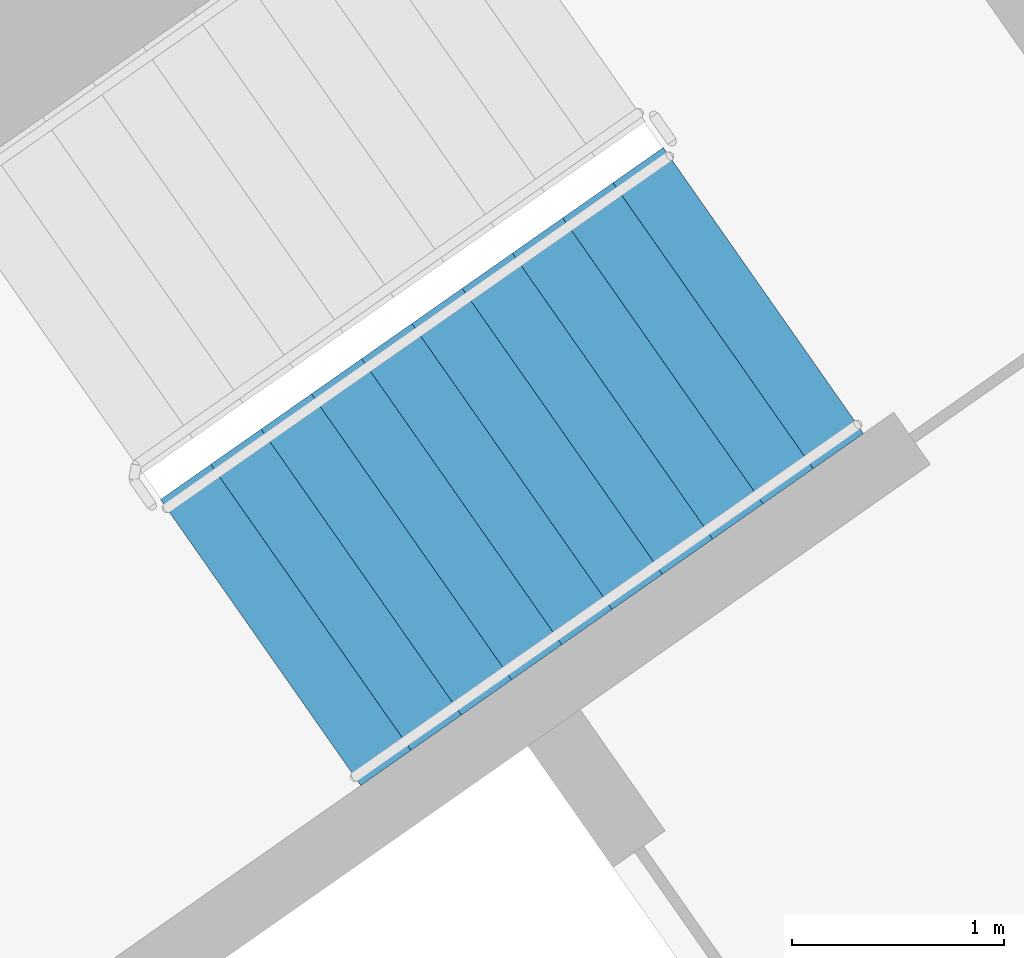
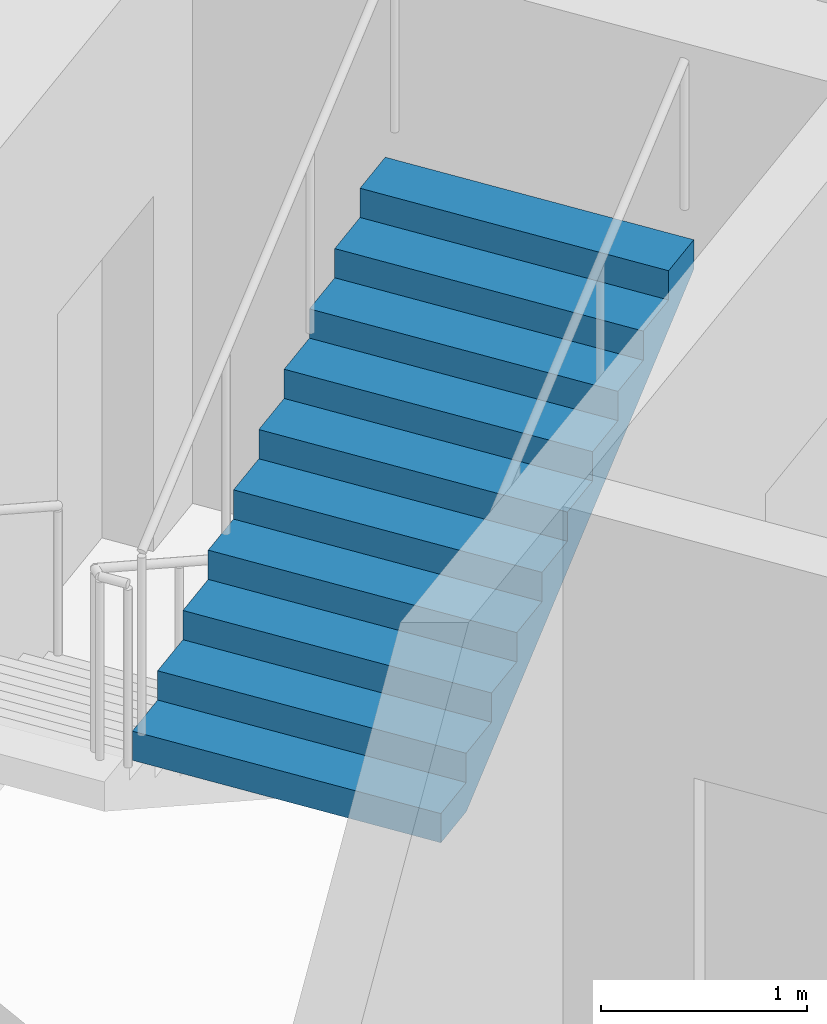
# One storey, part 15 of 28: 1 stair flight, 1 element without a shape of its own.
"""IFC4 building model written with IfcOpenShell, lengths in metres."""

from ifc_helpers import new_model, si_unit, direction, frame, origin, place, context, subcontext, project, spatial, faceted_brep, material, type_object, element, aggregate, save


model = new_model("IFC4")

# Units and contexts
model_context = context("Model", 3, precision=1e-05, world=origin(), true_north=direction((0.0, 1.0)))
body_context = subcontext(model_context, "Body", "Model", "MODEL_VIEW")
ifc_project = project(units=[si_unit("LENGTHUNIT", "METRE"), si_unit("AREAUNIT", "SQUARE_METRE"), si_unit("VOLUMEUNIT", "CUBIC_METRE"), si_unit("PLANEANGLEUNIT", "RADIAN"), si_unit("MASSUNIT", "GRAM", prefix="KILO")], contexts=[model_context])

# Site, building, storey
site_placement = place(None, origin())
site = spatial("IfcSite", under=ifc_project, at=site_placement, CompositionType="ELEMENT")
building_placement = place(site_placement, origin())
building = spatial("IfcBuilding", under=site, at=building_placement, Name="Qamariyya Broadcast Tower", CompositionType="ELEMENT")
storey_placement = place(building_placement, frame((0.0, 0.0, 241.699951171875)))
storey = spatial("IfcBuildingStorey", under=building, at=storey_placement, Name="L58", CompositionType="ELEMENT", Elevation=241.699951171875)

# Stair, stair flight
ifc_material = material(Name="Concrete C50/60", Category="concrete")
stair_type = type_object("IfcStairType", Name="Exit stair 22 risers of 173 mm", PredefinedType="HALF_TURN_STAIR", material=ifc_material)
stair_placement = place(storey_placement, origin())
stair = element("IfcStair", 1, at=stair_placement, inside=storey, type_object=stair_type, Name="L58 Stair E2", PredefinedType="HALF_TURN_STAIR")
stair_flight_type = type_object("IfcStairFlightType", Name="Exit stair flight 11 risers of 173 mm", PredefinedType="STRAIGHT", material=ifc_material)
stair_flight_placement = place(storey_placement, frame((39.215576171875, -50.822998046875, 1.900146484375), z_axis=(0.0, 0.0, 1.0), x_axis=(0.819152044289, 0.573576436351, 0.0)))
stair_flight = element("IfcStairFlight", 2, at=stair_flight_placement, type_object=stair_flight_type, Name="ST-E2 flight 2", NumberOfRisers=11, NumberOfTreads=10, PredefinedType="STRAIGHT", RiserHeight=0.172727273, TreadLength=0.29, context=body_context, shape_type="Brep", body=[
    faceted_brep([(0.0, 0.824951171875, 0.0), (0.0, 0.824951171875, 0.172607421875), (0.2900390625, 0.824951171875, 0.172607421875), (0.2900390625, 0.824951171875, 0.345458984375), (0.580078125, 0.824951171875, 0.345458984375), (0.580078125, 0.824951171875, 0.51806640625), (0.8701171875, 0.824951171875, 0.51806640625), (0.8701171875, 0.824951171875, 0.69091796875), (1.159912109375, 0.824951171875, 0.69091796875), (1.159912109375, 0.824951171875, 0.863525390625), (1.449951171875, 0.824951171875, 0.863525390625), (1.449951171875, 0.824951171875, 1.036376953125), (1.739990234375, 0.824951171875, 1.036376953125), (1.739990234375, 0.824951171875, 1.208984375), (2.030029296875, 0.824951171875, 1.208984375), (2.030029296875, 0.824951171875, 1.3818359375), (2.320068359375, 0.824951171875, 1.3818359375), (2.320068359375, 0.824951171875, 1.554443359375), (2.610107421875, 0.824951171875, 1.554443359375), (2.610107421875, 0.824951171875, 1.727294921875), (2.89990234375, 0.824951171875, 1.727294921875), (2.89990234375, 0.824951171875, 1.552734375), (0.29296875, 0.824951171875, 0.0), (0.29296875, -0.824951171875, 0.0), (2.89990234375, -0.824951171875, 1.552734375), (2.89990234375, -0.824951171875, 1.727294921875), (2.610107421875, -0.824951171875, 1.727294921875), (2.610107421875, -0.824951171875, 1.554443359375), (2.320068359375, -0.824951171875, 1.554443359375), (2.320068359375, -0.824951171875, 1.3818359375), (2.030029296875, -0.824951171875, 1.3818359375), (2.030029296875, -0.824951171875, 1.208984375), (1.739990234375, -0.824951171875, 1.208984375), (1.739990234375, -0.824951171875, 1.036376953125), (1.449951171875, -0.824951171875, 1.036376953125), (1.449951171875, -0.824951171875, 0.863525390625), (1.159912109375, -0.824951171875, 0.863525390625), (1.159912109375, -0.824951171875, 0.69091796875), (0.8701171875, -0.824951171875, 0.69091796875), (0.8701171875, -0.824951171875, 0.51806640625), (0.580078125, -0.824951171875, 0.51806640625), (0.580078125, -0.824951171875, 0.345458984375), (0.2900390625, -0.824951171875, 0.345458984375), (0.2900390625, -0.824951171875, 0.172607421875), (0.0, -0.824951171875, 0.172607421875), (0.0, -0.824951171875, 0.0), (0.0, 0.10009765625, 0.0), (0.0, 0.086669921875, 0.0), (0.0, 0.0732421875, 0.0), (0.0, 0.06005859375, 0.0), (0.0, 0.046630859375, 0.0), (0.0, 0.033447265625, 0.0), (0.0, 0.02001953125, 0.0), (0.0, 0.006591796875, 0.0), (0.0, -0.006591796875, 0.0), (0.0, -0.02001953125, 0.0), (0.0, -0.033447265625, 0.0), (0.0, -0.046630859375, 0.0), (0.0, -0.06005859375, 0.0), (0.0, -0.0732421875, 0.0), (0.0, -0.086669921875, 0.0), (0.0, -0.10009765625, 0.0), (0.0, -0.10009765625, 0.172607421875), (0.0, -0.086669921875, 0.172607421875), (0.0, -0.0732421875, 0.172607421875), (0.0, -0.06005859375, 0.172607421875), (0.0, -0.046630859375, 0.172607421875), (0.0, -0.033447265625, 0.172607421875), (0.0, -0.02001953125, 0.172607421875), (0.0, -0.006591796875, 0.172607421875), (0.0, 0.006591796875, 0.172607421875), (0.0, 0.02001953125, 0.172607421875), (0.0, 0.033447265625, 0.172607421875), (0.0, 0.046630859375, 0.172607421875), (0.0, 0.06005859375, 0.172607421875), (0.0, 0.0732421875, 0.172607421875), (0.0, 0.086669921875, 0.172607421875), (0.0, 0.10009765625, 0.172607421875), (0.2900390625, -0.10009765625, 0.172607421875), (0.2900390625, -0.086669921875, 0.172607421875), (0.2900390625, -0.0732421875, 0.172607421875), (0.2900390625, -0.06005859375, 0.172607421875), (0.2900390625, -0.046630859375, 0.172607421875), (0.2900390625, -0.033447265625, 0.172607421875), (0.2900390625, -0.02001953125, 0.172607421875), (0.2900390625, -0.006591796875, 0.172607421875), (0.2900390625, 0.006591796875, 0.172607421875), (0.2900390625, 0.02001953125, 0.172607421875), (0.2900390625, 0.033447265625, 0.172607421875), (0.2900390625, 0.046630859375, 0.172607421875), (0.2900390625, 0.06005859375, 0.172607421875), (0.2900390625, 0.0732421875, 0.172607421875), (0.2900390625, 0.086669921875, 0.172607421875), (0.2900390625, 0.10009765625, 0.172607421875), (0.2900390625, -0.10009765625, 0.345458984375), (0.2900390625, -0.086669921875, 0.345458984375), (0.2900390625, -0.0732421875, 0.345458984375), (0.2900390625, -0.06005859375, 0.345458984375), (0.2900390625, -0.046630859375, 0.345458984375), (0.2900390625, -0.033447265625, 0.345458984375), (0.2900390625, -0.02001953125, 0.345458984375), (0.2900390625, -0.006591796875, 0.345458984375), (0.2900390625, 0.006591796875, 0.345458984375), (0.2900390625, 0.02001953125, 0.345458984375), (0.2900390625, 0.033447265625, 0.345458984375), (0.2900390625, 0.046630859375, 0.345458984375), (0.2900390625, 0.06005859375, 0.345458984375), (0.2900390625, 0.0732421875, 0.345458984375), (0.2900390625, 0.086669921875, 0.345458984375), (0.2900390625, 0.10009765625, 0.345458984375), (0.580078125, -0.10009765625, 0.345458984375), (0.580078125, -0.086669921875, 0.345458984375), (0.580078125, -0.0732421875, 0.345458984375), (0.580078125, -0.06005859375, 0.345458984375), (0.580078125, -0.046630859375, 0.345458984375), (0.580078125, -0.033447265625, 0.345458984375), (0.580078125, -0.02001953125, 0.345458984375), (0.580078125, -0.006591796875, 0.345458984375), (0.580078125, 0.006591796875, 0.345458984375), (0.580078125, 0.02001953125, 0.345458984375), (0.580078125, 0.033447265625, 0.345458984375), (0.580078125, 0.046630859375, 0.345458984375), (0.580078125, 0.06005859375, 0.345458984375), (0.580078125, 0.0732421875, 0.345458984375), (0.580078125, 0.086669921875, 0.345458984375), (0.580078125, 0.10009765625, 0.345458984375), (0.580078125, -0.10009765625, 0.51806640625), (0.580078125, -0.086669921875, 0.51806640625), (0.580078125, -0.0732421875, 0.51806640625), (0.580078125, -0.06005859375, 0.51806640625), (0.580078125, -0.046630859375, 0.51806640625), (0.580078125, -0.033447265625, 0.51806640625), (0.580078125, -0.02001953125, 0.51806640625), (0.580078125, -0.006591796875, 0.51806640625), (0.580078125, 0.006591796875, 0.51806640625), (0.580078125, 0.02001953125, 0.51806640625), (0.580078125, 0.033447265625, 0.51806640625), (0.580078125, 0.046630859375, 0.51806640625), (0.580078125, 0.06005859375, 0.51806640625), (0.580078125, 0.0732421875, 0.51806640625), (0.580078125, 0.086669921875, 0.51806640625), (0.580078125, 0.10009765625, 0.51806640625), (0.8701171875, -0.10009765625, 0.51806640625), (0.8701171875, -0.086669921875, 0.51806640625), (0.8701171875, -0.0732421875, 0.51806640625), (0.8701171875, -0.06005859375, 0.51806640625), (0.8701171875, -0.046630859375, 0.51806640625), (0.8701171875, -0.033447265625, 0.51806640625), (0.8701171875, -0.02001953125, 0.51806640625), (0.8701171875, -0.006591796875, 0.51806640625), (0.8701171875, 0.006591796875, 0.51806640625), (0.8701171875, 0.02001953125, 0.51806640625), (0.8701171875, 0.033447265625, 0.51806640625), (0.8701171875, 0.046630859375, 0.51806640625), (0.8701171875, 0.06005859375, 0.51806640625), (0.8701171875, 0.0732421875, 0.51806640625), (0.8701171875, 0.086669921875, 0.51806640625), (0.8701171875, 0.10009765625, 0.51806640625), (0.8701171875, -0.10009765625, 0.69091796875), (0.8701171875, -0.086669921875, 0.69091796875), (0.8701171875, -0.0732421875, 0.69091796875), (0.8701171875, -0.06005859375, 0.69091796875), (0.8701171875, -0.046630859375, 0.69091796875), (0.8701171875, -0.033447265625, 0.69091796875), (0.8701171875, -0.02001953125, 0.69091796875), (0.8701171875, -0.006591796875, 0.69091796875), (0.8701171875, 0.006591796875, 0.69091796875), (0.8701171875, 0.02001953125, 0.69091796875), (0.8701171875, 0.033447265625, 0.69091796875), (0.8701171875, 0.046630859375, 0.69091796875), (0.8701171875, 0.06005859375, 0.69091796875), (0.8701171875, 0.0732421875, 0.69091796875), (0.8701171875, 0.086669921875, 0.69091796875), (0.8701171875, 0.10009765625, 0.69091796875), (1.159912109375, -0.10009765625, 0.69091796875), (1.159912109375, -0.086669921875, 0.69091796875), (1.159912109375, -0.0732421875, 0.69091796875), (1.159912109375, -0.06005859375, 0.69091796875), (1.159912109375, -0.046630859375, 0.69091796875), (1.159912109375, -0.033447265625, 0.69091796875), (1.159912109375, -0.02001953125, 0.69091796875), (1.159912109375, -0.006591796875, 0.69091796875), (1.159912109375, 0.006591796875, 0.69091796875), (1.159912109375, 0.02001953125, 0.69091796875), (1.159912109375, 0.033447265625, 0.69091796875), (1.159912109375, 0.046630859375, 0.69091796875), (1.159912109375, 0.06005859375, 0.69091796875), (1.159912109375, 0.0732421875, 0.69091796875), (1.159912109375, 0.086669921875, 0.69091796875), (1.159912109375, 0.10009765625, 0.69091796875), (1.159912109375, -0.10009765625, 0.863525390625), (1.159912109375, -0.086669921875, 0.863525390625), (1.159912109375, -0.0732421875, 0.863525390625), (1.159912109375, -0.06005859375, 0.863525390625), (1.159912109375, -0.046630859375, 0.863525390625), (1.159912109375, -0.033447265625, 0.863525390625), (1.159912109375, -0.02001953125, 0.863525390625), (1.159912109375, -0.006591796875, 0.863525390625), (1.159912109375, 0.006591796875, 0.863525390625), (1.159912109375, 0.02001953125, 0.863525390625), (1.159912109375, 0.033447265625, 0.863525390625), (1.159912109375, 0.046630859375, 0.863525390625), (1.159912109375, 0.06005859375, 0.863525390625), (1.159912109375, 0.0732421875, 0.863525390625), (1.159912109375, 0.086669921875, 0.863525390625), (1.159912109375, 0.10009765625, 0.863525390625), (1.449951171875, -0.10009765625, 0.863525390625), (1.449951171875, -0.086669921875, 0.863525390625), (1.449951171875, -0.0732421875, 0.863525390625), (1.449951171875, -0.06005859375, 0.863525390625), (1.449951171875, -0.046630859375, 0.863525390625), (1.449951171875, -0.033447265625, 0.863525390625), (1.449951171875, -0.02001953125, 0.863525390625), (1.449951171875, -0.006591796875, 0.863525390625), (1.449951171875, 0.006591796875, 0.863525390625), (1.449951171875, 0.02001953125, 0.863525390625), (1.449951171875, 0.033447265625, 0.863525390625), (1.449951171875, 0.046630859375, 0.863525390625), (1.449951171875, 0.06005859375, 0.863525390625), (1.449951171875, 0.0732421875, 0.863525390625), (1.449951171875, 0.086669921875, 0.863525390625), (1.449951171875, 0.10009765625, 0.863525390625), (1.449951171875, -0.10009765625, 1.036376953125), (1.449951171875, -0.086669921875, 1.036376953125), (1.449951171875, -0.0732421875, 1.036376953125), (1.449951171875, -0.06005859375, 1.036376953125), (1.449951171875, -0.046630859375, 1.036376953125), (1.449951171875, -0.033447265625, 1.036376953125), (1.449951171875, -0.02001953125, 1.036376953125), (1.449951171875, -0.006591796875, 1.036376953125), (1.449951171875, 0.006591796875, 1.036376953125), (1.449951171875, 0.02001953125, 1.036376953125), (1.449951171875, 0.033447265625, 1.036376953125), (1.449951171875, 0.046630859375, 1.036376953125), (1.449951171875, 0.06005859375, 1.036376953125), (1.449951171875, 0.0732421875, 1.036376953125), (1.449951171875, 0.086669921875, 1.036376953125), (1.449951171875, 0.10009765625, 1.036376953125), (1.739990234375, -0.10009765625, 1.036376953125), (1.739990234375, -0.086669921875, 1.036376953125), (1.739990234375, -0.0732421875, 1.036376953125), (1.739990234375, -0.06005859375, 1.036376953125), (1.739990234375, -0.046630859375, 1.036376953125), (1.739990234375, -0.033447265625, 1.036376953125), (1.739990234375, -0.02001953125, 1.036376953125), (1.739990234375, -0.006591796875, 1.036376953125), (1.739990234375, 0.006591796875, 1.036376953125), (1.739990234375, 0.02001953125, 1.036376953125), (1.739990234375, 0.033447265625, 1.036376953125), (1.739990234375, 0.046630859375, 1.036376953125), (1.739990234375, 0.06005859375, 1.036376953125), (1.739990234375, 0.0732421875, 1.036376953125), (1.739990234375, 0.086669921875, 1.036376953125), (1.739990234375, 0.10009765625, 1.036376953125), (1.739990234375, -0.10009765625, 1.208984375), (1.739990234375, -0.086669921875, 1.208984375), (1.739990234375, -0.0732421875, 1.208984375), (1.739990234375, -0.06005859375, 1.208984375), (1.739990234375, -0.046630859375, 1.208984375), (1.739990234375, -0.033447265625, 1.208984375), (1.739990234375, -0.02001953125, 1.208984375), (1.739990234375, -0.006591796875, 1.208984375), (1.739990234375, 0.006591796875, 1.208984375), (1.739990234375, 0.02001953125, 1.208984375), (1.739990234375, 0.033447265625, 1.208984375), (1.739990234375, 0.046630859375, 1.208984375), (1.739990234375, 0.06005859375, 1.208984375), (1.739990234375, 0.0732421875, 1.208984375), (1.739990234375, 0.086669921875, 1.208984375), (1.739990234375, 0.10009765625, 1.208984375), (2.030029296875, -0.10009765625, 1.208984375), (2.030029296875, -0.086669921875, 1.208984375), (2.030029296875, -0.0732421875, 1.208984375), (2.030029296875, -0.06005859375, 1.208984375), (2.030029296875, -0.046630859375, 1.208984375), (2.030029296875, -0.033447265625, 1.208984375), (2.030029296875, -0.02001953125, 1.208984375), (2.030029296875, -0.006591796875, 1.208984375), (2.030029296875, 0.006591796875, 1.208984375), (2.030029296875, 0.02001953125, 1.208984375), (2.030029296875, 0.033447265625, 1.208984375), (2.030029296875, 0.046630859375, 1.208984375), (2.030029296875, 0.06005859375, 1.208984375), (2.030029296875, 0.0732421875, 1.208984375), (2.030029296875, 0.086669921875, 1.208984375), (2.030029296875, 0.10009765625, 1.208984375), (2.030029296875, -0.10009765625, 1.3818359375), (2.030029296875, -0.086669921875, 1.3818359375), (2.030029296875, -0.0732421875, 1.3818359375), (2.030029296875, -0.06005859375, 1.3818359375), (2.030029296875, -0.046630859375, 1.3818359375), (2.030029296875, -0.033447265625, 1.3818359375), (2.030029296875, -0.02001953125, 1.3818359375), (2.030029296875, -0.006591796875, 1.3818359375), (2.030029296875, 0.006591796875, 1.3818359375), (2.030029296875, 0.02001953125, 1.3818359375), (2.030029296875, 0.033447265625, 1.3818359375), (2.030029296875, 0.046630859375, 1.3818359375), (2.030029296875, 0.06005859375, 1.3818359375), (2.030029296875, 0.0732421875, 1.3818359375), (2.030029296875, 0.086669921875, 1.3818359375), (2.030029296875, 0.10009765625, 1.3818359375), (2.320068359375, -0.10009765625, 1.3818359375), (2.320068359375, -0.086669921875, 1.3818359375), (2.320068359375, -0.0732421875, 1.3818359375), (2.320068359375, -0.06005859375, 1.3818359375), (2.320068359375, -0.046630859375, 1.3818359375), (2.320068359375, -0.033447265625, 1.3818359375), (2.320068359375, -0.02001953125, 1.3818359375), (2.320068359375, -0.006591796875, 1.3818359375), (2.320068359375, 0.006591796875, 1.3818359375), (2.320068359375, 0.02001953125, 1.3818359375), (2.320068359375, 0.033447265625, 1.3818359375), (2.320068359375, 0.046630859375, 1.3818359375), (2.320068359375, 0.06005859375, 1.3818359375), (2.320068359375, 0.0732421875, 1.3818359375), (2.320068359375, 0.086669921875, 1.3818359375), (2.320068359375, 0.10009765625, 1.3818359375), (2.320068359375, -0.10009765625, 1.554443359375), (2.320068359375, -0.086669921875, 1.554443359375), (2.320068359375, -0.0732421875, 1.554443359375), (2.320068359375, -0.06005859375, 1.554443359375), (2.320068359375, -0.046630859375, 1.554443359375), (2.320068359375, -0.033447265625, 1.554443359375), (2.320068359375, -0.02001953125, 1.554443359375), (2.320068359375, -0.006591796875, 1.554443359375), (2.320068359375, 0.006591796875, 1.554443359375), (2.320068359375, 0.02001953125, 1.554443359375), (2.320068359375, 0.033447265625, 1.554443359375), (2.320068359375, 0.046630859375, 1.554443359375), (2.320068359375, 0.06005859375, 1.554443359375), (2.320068359375, 0.0732421875, 1.554443359375), (2.320068359375, 0.086669921875, 1.554443359375), (2.320068359375, 0.10009765625, 1.554443359375), (2.610107421875, -0.10009765625, 1.554443359375), (2.610107421875, -0.086669921875, 1.554443359375), (2.610107421875, -0.0732421875, 1.554443359375), (2.610107421875, -0.06005859375, 1.554443359375), (2.610107421875, -0.046630859375, 1.554443359375), (2.610107421875, -0.033447265625, 1.554443359375), (2.610107421875, -0.02001953125, 1.554443359375), (2.610107421875, -0.006591796875, 1.554443359375), (2.610107421875, 0.006591796875, 1.554443359375), (2.610107421875, 0.02001953125, 1.554443359375), (2.610107421875, 0.033447265625, 1.554443359375), (2.610107421875, 0.046630859375, 1.554443359375), (2.610107421875, 0.06005859375, 1.554443359375), (2.610107421875, 0.0732421875, 1.554443359375), (2.610107421875, 0.086669921875, 1.554443359375), (2.610107421875, 0.10009765625, 1.554443359375), (2.610107421875, -0.10009765625, 1.727294921875), (2.610107421875, -0.086669921875, 1.727294921875), (2.610107421875, -0.0732421875, 1.727294921875), (2.610107421875, -0.06005859375, 1.727294921875), (2.610107421875, -0.046630859375, 1.727294921875), (2.610107421875, -0.033447265625, 1.727294921875), (2.610107421875, -0.02001953125, 1.727294921875), (2.610107421875, -0.006591796875, 1.727294921875), (2.610107421875, 0.006591796875, 1.727294921875), (2.610107421875, 0.02001953125, 1.727294921875), (2.610107421875, 0.033447265625, 1.727294921875), (2.610107421875, 0.046630859375, 1.727294921875), (2.610107421875, 0.06005859375, 1.727294921875), (2.610107421875, 0.0732421875, 1.727294921875), (2.610107421875, 0.086669921875, 1.727294921875), (2.610107421875, 0.10009765625, 1.727294921875), (2.89990234375, -0.10009765625, 1.727294921875), (2.89990234375, -0.086669921875, 1.727294921875), (2.89990234375, -0.0732421875, 1.727294921875), (2.89990234375, -0.06005859375, 1.727294921875), (2.89990234375, -0.046630859375, 1.727294921875), (2.89990234375, -0.033447265625, 1.727294921875), (2.89990234375, -0.02001953125, 1.727294921875), (2.89990234375, -0.006591796875, 1.727294921875), (2.89990234375, 0.006591796875, 1.727294921875), (2.89990234375, 0.02001953125, 1.727294921875), (2.89990234375, 0.033447265625, 1.727294921875), (2.89990234375, 0.046630859375, 1.727294921875), (2.89990234375, 0.06005859375, 1.727294921875), (2.89990234375, 0.0732421875, 1.727294921875), (2.89990234375, 0.086669921875, 1.727294921875), (2.89990234375, 0.10009765625, 1.727294921875), (2.89990234375, -0.10009765625, 1.552734375), (2.89990234375, -0.086669921875, 1.552734375), (2.89990234375, -0.0732421875, 1.552734375), (2.89990234375, -0.06005859375, 1.552734375), (2.89990234375, -0.046630859375, 1.552734375), (2.89990234375, -0.033447265625, 1.552734375), (2.89990234375, -0.02001953125, 1.552734375), (2.89990234375, -0.006591796875, 1.552734375), (2.89990234375, 0.006591796875, 1.552734375), (2.89990234375, 0.02001953125, 1.552734375), (2.89990234375, 0.033447265625, 1.552734375), (2.89990234375, 0.046630859375, 1.552734375), (2.89990234375, 0.06005859375, 1.552734375), (2.89990234375, 0.0732421875, 1.552734375), (2.89990234375, 0.086669921875, 1.552734375), (2.89990234375, 0.10009765625, 1.552734375), (0.29296875, -0.10009765625, 0.0), (0.29296875, -0.086669921875, 0.0), (0.29296875, -0.0732421875, 0.0), (0.29296875, -0.06005859375, 0.0), (0.29296875, -0.046630859375, 0.0), (0.29296875, -0.033447265625, 0.0), (0.29296875, -0.02001953125, 0.0), (0.29296875, -0.006591796875, 0.0), (0.29296875, 0.006591796875, 0.0), (0.29296875, 0.02001953125, 0.0), (0.29296875, 0.033447265625, 0.0), (0.29296875, 0.046630859375, 0.0), (0.29296875, 0.06005859375, 0.0), (0.29296875, 0.0732421875, 0.0), (0.29296875, 0.086669921875, 0.0), (0.29296875, 0.10009765625, 0.0)], [[[0, 1, 2, 3, 4, 5, 6, 7, 8, 9, 10, 11, 12, 13, 14, 15, 16, 17, 18, 19, 20, 21, 22]], [[23, 24, 25, 26, 27, 28, 29, 30, 31, 32, 33, 34, 35, 36, 37, 38, 39, 40, 41, 42, 43, 44, 45]], [[0, 46, 47, 48, 49, 50, 51, 52, 53, 54, 55, 56, 57, 58, 59, 60, 61, 45, 44, 62, 63, 64, 65, 66, 67, 68, 69, 70, 71, 72, 73, 74, 75, 76, 77, 1]], [[1, 77, 76, 75, 74, 73, 72, 71, 70, 69, 68, 67, 66, 65, 64, 63, 62, 44, 43, 78, 79, 80, 81, 82, 83, 84, 85, 86, 87, 88, 89, 90, 91, 92, 93, 2]], [[2, 93, 92, 91, 90, 89, 88, 87, 86, 85, 84, 83, 82, 81, 80, 79, 78, 43, 42, 94, 95, 96, 97, 98, 99, 100, 101, 102, 103, 104, 105, 106, 107, 108, 109, 3]], [[3, 109, 108, 107, 106, 105, 104, 103, 102, 101, 100, 99, 98, 97, 96, 95, 94, 42, 41, 110, 111, 112, 113, 114, 115, 116, 117, 118, 119, 120, 121, 122, 123, 124, 125, 4]], [[4, 125, 124, 123, 122, 121, 120, 119, 118, 117, 116, 115, 114, 113, 112, 111, 110, 41, 40, 126, 127, 128, 129, 130, 131, 132, 133, 134, 135, 136, 137, 138, 139, 140, 141, 5]], [[5, 141, 140, 139, 138, 137, 136, 135, 134, 133, 132, 131, 130, 129, 128, 127, 126, 40, 39, 142, 143, 144, 145, 146, 147, 148, 149, 150, 151, 152, 153, 154, 155, 156, 157, 6]], [[6, 157, 156, 155, 154, 153, 152, 151, 150, 149, 148, 147, 146, 145, 144, 143, 142, 39, 38, 158, 159, 160, 161, 162, 163, 164, 165, 166, 167, 168, 169, 170, 171, 172, 173, 7]], [[7, 173, 172, 171, 170, 169, 168, 167, 166, 165, 164, 163, 162, 161, 160, 159, 158, 38, 37, 174, 175, 176, 177, 178, 179, 180, 181, 182, 183, 184, 185, 186, 187, 188, 189, 8]], [[8, 189, 188, 187, 186, 185, 184, 183, 182, 181, 180, 179, 178, 177, 176, 175, 174, 37, 36, 190, 191, 192, 193, 194, 195, 196, 197, 198, 199, 200, 201, 202, 203, 204, 205, 9]], [[9, 205, 204, 203, 202, 201, 200, 199, 198, 197, 196, 195, 194, 193, 192, 191, 190, 36, 35, 206, 207, 208, 209, 210, 211, 212, 213, 214, 215, 216, 217, 218, 219, 220, 221, 10]], [[10, 221, 220, 219, 218, 217, 216, 215, 214, 213, 212, 211, 210, 209, 208, 207, 206, 35, 34, 222, 223, 224, 225, 226, 227, 228, 229, 230, 231, 232, 233, 234, 235, 236, 237, 11]], [[11, 237, 236, 235, 234, 233, 232, 231, 230, 229, 228, 227, 226, 225, 224, 223, 222, 34, 33, 238, 239, 240, 241, 242, 243, 244, 245, 246, 247, 248, 249, 250, 251, 252, 253, 12]], [[12, 253, 252, 251, 250, 249, 248, 247, 246, 245, 244, 243, 242, 241, 240, 239, 238, 33, 32, 254, 255, 256, 257, 258, 259, 260, 261, 262, 263, 264, 265, 266, 267, 268, 269, 13]], [[13, 269, 268, 267, 266, 265, 264, 263, 262, 261, 260, 259, 258, 257, 256, 255, 254, 32, 31, 270, 271, 272, 273, 274, 275, 276, 277, 278, 279, 280, 281, 282, 283, 284, 285, 14]], [[14, 285, 284, 283, 282, 281, 280, 279, 278, 277, 276, 275, 274, 273, 272, 271, 270, 31, 30, 286, 287, 288, 289, 290, 291, 292, 293, 294, 295, 296, 297, 298, 299, 300, 301, 15]], [[15, 301, 300, 299, 298, 297, 296, 295, 294, 293, 292, 291, 290, 289, 288, 287, 286, 30, 29, 302, 303, 304, 305, 306, 307, 308, 309, 310, 311, 312, 313, 314, 315, 316, 317, 16]], [[16, 317, 316, 315, 314, 313, 312, 311, 310, 309, 308, 307, 306, 305, 304, 303, 302, 29, 28, 318, 319, 320, 321, 322, 323, 324, 325, 326, 327, 328, 329, 330, 331, 332, 333, 17]], [[17, 333, 332, 331, 330, 329, 328, 327, 326, 325, 324, 323, 322, 321, 320, 319, 318, 28, 27, 334, 335, 336, 337, 338, 339, 340, 341, 342, 343, 344, 345, 346, 347, 348, 349, 18]], [[18, 349, 348, 347, 346, 345, 344, 343, 342, 341, 340, 339, 338, 337, 336, 335, 334, 27, 26, 350, 351, 352, 353, 354, 355, 356, 357, 358, 359, 360, 361, 362, 363, 364, 365, 19]], [[19, 365, 364, 363, 362, 361, 360, 359, 358, 357, 356, 355, 354, 353, 352, 351, 350, 26, 25, 366, 367, 368, 369, 370, 371, 372, 373, 374, 375, 376, 377, 378, 379, 380, 381, 20]], [[20, 381, 380, 379, 378, 377, 376, 375, 374, 373, 372, 371, 370, 369, 368, 367, 366, 25, 24, 382, 383, 384, 385, 386, 387, 388, 389, 390, 391, 392, 393, 394, 395, 396, 397, 21]], [[21, 397, 396, 395, 394, 393, 392, 391, 390, 389, 388, 387, 386, 385, 384, 383, 382, 24, 23, 398, 399, 400, 401, 402, 403, 404, 405, 406, 407, 408, 409, 410, 411, 412, 413, 22]], [[22, 413, 412, 411, 410, 409, 408, 407, 406, 405, 404, 403, 402, 401, 400, 399, 398, 23, 45, 61, 60, 59, 58, 57, 56, 55, 54, 53, 52, 51, 50, 49, 48, 47, 46, 0]]]),
])
aggregate(stair, [stair_flight])

save(model, "model.ifc")
